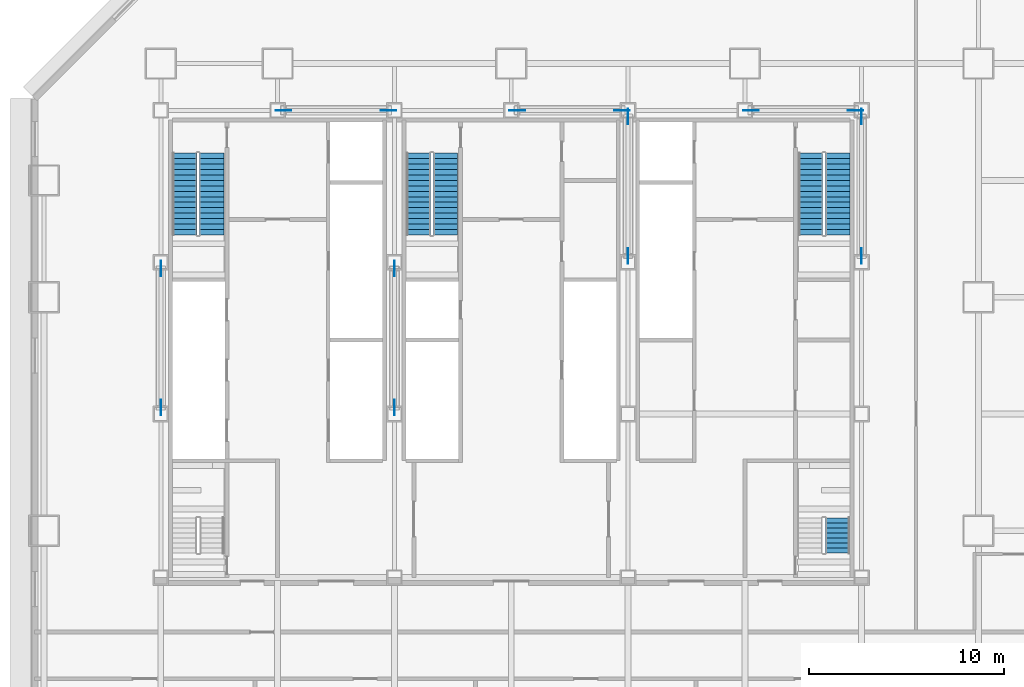
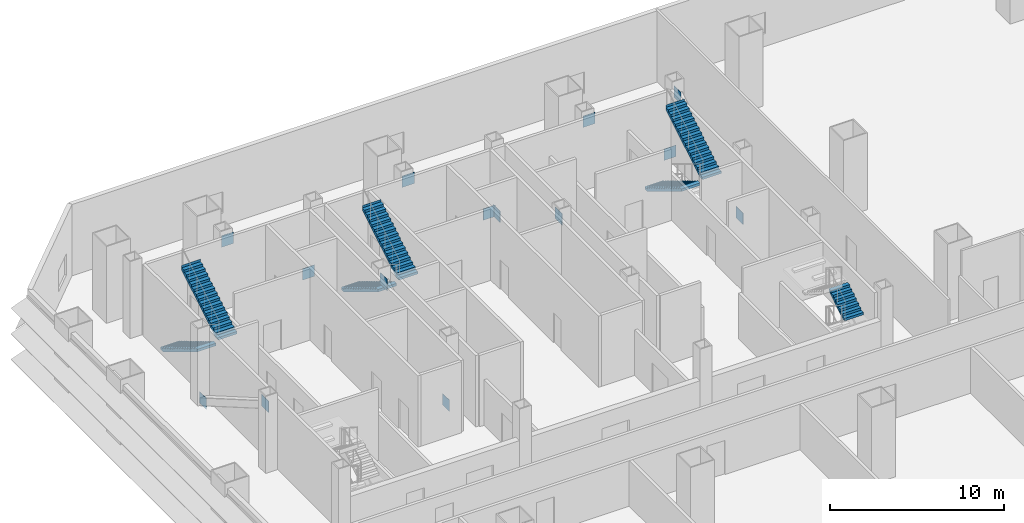
# One storey, part 8 of 10: 14 discrete accessories, 7 stair flights, 4 elements without a shape of their own.
"""IFC4 building model written with IfcOpenShell, lengths in metres."""

from ifc_helpers import new_model, si_unit, direction, frame, origin, origin_2d, place, context, subcontext, project, spatial, polyline, rectangle, outline, extrude, material, layer, layer_set, type_object, element, aggregate, save


model = new_model("IFC4")

# Units and contexts
model_context = context("Model", 3, precision=1e-05, world=origin(), true_north=direction((0.0, 1.0)))
body_context = subcontext(model_context, "Body", "Model", "MODEL_VIEW")
ifc_project = project(units=[si_unit("LENGTHUNIT", "METRE"), si_unit("AREAUNIT", "SQUARE_METRE"), si_unit("VOLUMEUNIT", "CUBIC_METRE"), si_unit("PLANEANGLEUNIT", "RADIAN"), si_unit("MASSUNIT", "GRAM", prefix="KILO")], contexts=[model_context])

# Site, building, storey
site_placement = place(None, origin())
site = spatial("IfcSite", under=ifc_project, at=site_placement, CompositionType="ELEMENT")
building_placement = place(site_placement, origin())
building = spatial("IfcBuilding", under=site, at=building_placement, Name="Sorahane Residences", CompositionType="ELEMENT")
storey_placement = place(building_placement, frame((0.0, 0.0, 15.0)))
storey = spatial("IfcBuildingStorey", under=building, at=storey_placement, Name="L01", CompositionType="ELEMENT", Elevation=15.0)

# Stair, stair flights
ifc_material_1 = material(Name="Concrete C40", Category="concrete")
stair_type = type_object("IfcStairType", Name="Dog-leg stair 1250 Concrete C40", PredefinedType="HALF_TURN_STAIR", material=ifc_material_1)
stair_1_placement = place(storey_placement, origin())
stair_1 = element("IfcStair", 1, at=stair_1_placement, inside=storey, type_object=stair_type, Name="L01 Stair S1", PredefinedType="HALF_TURN_STAIR")
ifc_material_2 = material(Name="Concrete C40", Category="concrete")
stair_flight_type = type_object("IfcStairFlightType", Name="Stair flight 1250 Concrete C40", PredefinedType="STRAIGHT", material=ifc_material_2)
stair_flight_1_placement = place(storey_placement, frame((7.22509765625, 43.39990234375, 0.0), z_axis=(0.0, 0.0, 1.0), x_axis=(0.0, -1.0, 0.0)))
stair_flight_1 = element("IfcStairFlight", 2, at=stair_flight_1_placement, type_object=stair_flight_type, Name="S1 flight 1", NumberOfRisers=16, NumberOfTreads=15, PredefinedType="STRAIGHT", RiserHeight=0.16875, TreadLength=0.28, context=body_context, shape_type="SweptSolid", body=[
    extrude(outline(polyline([(-0.00146484375, 0.0), (-0.00146484375, 0.168701171875), (0.0, 0.168701171875), (0.280029296875, 0.168701171875), (0.280029296875, 0.33740234375), (0.56005859375, 0.33740234375), (0.56005859375, 0.50634765625), (0.840087890625, 0.50634765625), (0.840087890625, 0.675048828125), (1.1201171875, 0.675048828125), (1.1201171875, 0.84375), (1.39990234375, 0.84375), (1.39990234375, 1.012451171875), (1.679931640625, 1.012451171875), (1.679931640625, 1.18115234375), (1.9599609375, 1.18115234375), (1.9599609375, 1.35009765625), (2.239990234375, 1.35009765625), (2.239990234375, 1.518798828125), (2.52001953125, 1.518798828125), (2.52001953125, 1.6875), (2.800048828125, 1.6875), (2.800048828125, 1.856201171875), (3.080078125, 1.856201171875), (3.080078125, 2.02490234375), (3.360107421875, 2.02490234375), (3.360107421875, 2.19384765625), (3.639892578125, 2.19384765625), (3.639892578125, 2.362548828125), (3.919921875, 2.362548828125), (3.919921875, 2.53125), (4.199951171875, 2.53125), (4.199951171875, 2.699951171875), (4.199951171875, 2.356201171875), (3.969970703125, 2.217529296875), (3.739990234375, 2.0791015625), (3.510009765625, 1.9404296875), (3.280029296875, 1.8017578125), (3.050048828125, 1.663330078125), (2.820068359375, 1.524658203125), (2.590087890625, 1.385986328125), (2.360107421875, 1.247314453125), (2.130126953125, 1.10888671875), (1.900146484375, 0.97021484375), (1.670166015625, 0.83154296875), (1.440185546875, 0.693115234375), (1.210205078125, 0.554443359375), (0.980224609375, 0.415771484375), (0.750244140625, 0.277099609375), (0.520263671875, 0.138671875), (0.29052734375, 0.0), (-0.00146484375, 0.0)])), frame((0.0, 0.625, 0.0), z_axis=(0.0, -1.0, 0.0), x_axis=(1.0, 0.0, 0.0)), (0.0, 0.0, 1.0), 1.25),
])
stair_flight_2_placement = place(storey_placement, frame((8.625, 39.199951171875, 2.699951171875), z_axis=(0.0, 0.0, 1.0), x_axis=(0.0, 1.0, 0.0)))
stair_flight_2 = element("IfcStairFlight", 3, at=stair_flight_2_placement, type_object=stair_flight_type, Name="S1 flight 2", NumberOfRisers=16, NumberOfTreads=15, PredefinedType="STRAIGHT", RiserHeight=0.16875, TreadLength=0.28, context=body_context, shape_type="SweptSolid", body=[
    extrude(outline(polyline([(0.0, 0.0), (0.0, 0.168701171875), (0.280029296875, 0.168701171875), (0.280029296875, 0.33740234375), (0.56005859375, 0.33740234375), (0.56005859375, 0.50634765625), (0.840087890625, 0.50634765625), (0.840087890625, 0.675048828125), (1.1201171875, 0.675048828125), (1.1201171875, 0.84375), (1.39990234375, 0.84375), (1.39990234375, 1.012451171875), (1.679931640625, 1.012451171875), (1.679931640625, 1.18115234375), (1.9599609375, 1.18115234375), (1.9599609375, 1.35009765625), (2.239990234375, 1.35009765625), (2.239990234375, 1.518798828125), (2.52001953125, 1.518798828125), (2.52001953125, 1.6875), (2.800048828125, 1.6875), (2.800048828125, 1.856201171875), (3.080078125, 1.856201171875), (3.080078125, 2.02490234375), (3.360107421875, 2.02490234375), (3.360107421875, 2.19384765625), (3.639892578125, 2.19384765625), (3.639892578125, 2.362548828125), (3.919921875, 2.362548828125), (3.919921875, 2.53125), (4.199951171875, 2.53125), (4.199951171875, 2.699951171875), (4.201416015625, 2.699951171875), (4.201416015625, 2.356201171875), (3.971435546875, 2.217529296875), (3.741455078125, 2.0791015625), (3.51123046875, 1.9404296875), (3.28125, 1.8017578125), (3.05126953125, 1.663330078125), (2.821044921875, 1.524658203125), (2.591064453125, 1.385986328125), (2.361083984375, 1.247314453125), (2.130859375, 1.10888671875), (1.90087890625, 0.97021484375), (1.6708984375, 0.83154296875), (1.440673828125, 0.693115234375), (1.210693359375, 0.554443359375), (0.980712890625, 0.415771484375), (0.75048828125, 0.277099609375), (0.5205078125, 0.138671875), (0.29052734375, 0.0), (0.0, 0.0)])), frame((0.0, 0.625, 0.0), z_axis=(0.0, -1.0, 0.0), x_axis=(1.0, 0.0, 0.0)), (0.0, 0.0, 1.0), 1.25),
])
aggregate(stair_1, [stair_flight_1, stair_flight_2])

stair_2_placement = place(storey_placement, origin())
stair_2 = element("IfcStair", 4, at=stair_2_placement, inside=storey, type_object=stair_type, Name="L01 Stair S2", PredefinedType="HALF_TURN_STAIR")
stair_flight_3_placement = place(storey_placement, frame((39.375, 43.39990234375, 0.0), z_axis=(0.0, 0.0, 1.0), x_axis=(0.0, -1.0, 0.0)))
stair_flight_3 = element("IfcStairFlight", 5, at=stair_flight_3_placement, type_object=stair_flight_type, Name="S2 flight 1", NumberOfRisers=16, NumberOfTreads=15, PredefinedType="STRAIGHT", RiserHeight=0.16875, TreadLength=0.28, context=body_context, shape_type="SweptSolid", body=[
    extrude(outline(polyline([(-0.00146484375, 0.0), (-0.00146484375, 0.168701171875), (0.0, 0.168701171875), (0.280029296875, 0.168701171875), (0.280029296875, 0.33740234375), (0.56005859375, 0.33740234375), (0.56005859375, 0.50634765625), (0.840087890625, 0.50634765625), (0.840087890625, 0.675048828125), (1.1201171875, 0.675048828125), (1.1201171875, 0.84375), (1.39990234375, 0.84375), (1.39990234375, 1.012451171875), (1.679931640625, 1.012451171875), (1.679931640625, 1.18115234375), (1.9599609375, 1.18115234375), (1.9599609375, 1.35009765625), (2.239990234375, 1.35009765625), (2.239990234375, 1.518798828125), (2.52001953125, 1.518798828125), (2.52001953125, 1.6875), (2.800048828125, 1.6875), (2.800048828125, 1.856201171875), (3.080078125, 1.856201171875), (3.080078125, 2.02490234375), (3.360107421875, 2.02490234375), (3.360107421875, 2.19384765625), (3.639892578125, 2.19384765625), (3.639892578125, 2.362548828125), (3.919921875, 2.362548828125), (3.919921875, 2.53125), (4.199951171875, 2.53125), (4.199951171875, 2.699951171875), (4.199951171875, 2.356201171875), (3.969970703125, 2.217529296875), (3.739990234375, 2.0791015625), (3.510009765625, 1.9404296875), (3.280029296875, 1.8017578125), (3.050048828125, 1.663330078125), (2.820068359375, 1.524658203125), (2.590087890625, 1.385986328125), (2.360107421875, 1.247314453125), (2.130126953125, 1.10888671875), (1.900146484375, 0.97021484375), (1.670166015625, 0.83154296875), (1.440185546875, 0.693115234375), (1.210205078125, 0.554443359375), (0.980224609375, 0.415771484375), (0.750244140625, 0.277099609375), (0.520263671875, 0.138671875), (0.29052734375, 0.0), (-0.00146484375, 0.0)])), frame((0.0, 0.625, 0.0), z_axis=(0.0, -1.0, 0.0), x_axis=(1.0, 0.0, 0.0)), (0.0, 0.0, 1.0), 1.25),
])
stair_flight_4_placement = place(storey_placement, frame((40.77490234375, 39.199951171875, 2.699951171875), z_axis=(0.0, 0.0, 1.0), x_axis=(0.0, 1.0, 0.0)))
stair_flight_4 = element("IfcStairFlight", 6, at=stair_flight_4_placement, type_object=stair_flight_type, Name="S2 flight 2", NumberOfRisers=16, NumberOfTreads=15, PredefinedType="STRAIGHT", RiserHeight=0.16875, TreadLength=0.28, context=body_context, shape_type="SweptSolid", body=[
    extrude(outline(polyline([(0.0, 0.0), (0.0, 0.168701171875), (0.280029296875, 0.168701171875), (0.280029296875, 0.33740234375), (0.56005859375, 0.33740234375), (0.56005859375, 0.50634765625), (0.840087890625, 0.50634765625), (0.840087890625, 0.675048828125), (1.1201171875, 0.675048828125), (1.1201171875, 0.84375), (1.39990234375, 0.84375), (1.39990234375, 1.012451171875), (1.679931640625, 1.012451171875), (1.679931640625, 1.18115234375), (1.9599609375, 1.18115234375), (1.9599609375, 1.35009765625), (2.239990234375, 1.35009765625), (2.239990234375, 1.518798828125), (2.52001953125, 1.518798828125), (2.52001953125, 1.6875), (2.800048828125, 1.6875), (2.800048828125, 1.856201171875), (3.080078125, 1.856201171875), (3.080078125, 2.02490234375), (3.360107421875, 2.02490234375), (3.360107421875, 2.19384765625), (3.639892578125, 2.19384765625), (3.639892578125, 2.362548828125), (3.919921875, 2.362548828125), (3.919921875, 2.53125), (4.199951171875, 2.53125), (4.199951171875, 2.699951171875), (4.201416015625, 2.699951171875), (4.201416015625, 2.356201171875), (3.971435546875, 2.217529296875), (3.741455078125, 2.0791015625), (3.51123046875, 1.9404296875), (3.28125, 1.8017578125), (3.05126953125, 1.663330078125), (2.821044921875, 1.524658203125), (2.591064453125, 1.385986328125), (2.361083984375, 1.247314453125), (2.130859375, 1.10888671875), (1.90087890625, 0.97021484375), (1.6708984375, 0.83154296875), (1.440673828125, 0.693115234375), (1.210693359375, 0.554443359375), (0.980712890625, 0.415771484375), (0.75048828125, 0.277099609375), (0.5205078125, 0.138671875), (0.29052734375, 0.0), (0.0, 0.0)])), frame((0.0, 0.625, 0.0), z_axis=(0.0, -1.0, 0.0), x_axis=(1.0, 0.0, 0.0)), (0.0, 0.0, 1.0), 1.25),
])
aggregate(stair_2, [stair_flight_3, stair_flight_4])

stair_3_placement = place(storey_placement, origin())
stair_3 = element("IfcStair", 7, at=stair_3_placement, inside=storey, type_object=stair_type, Name="L01 Stair S3", PredefinedType="HALF_TURN_STAIR")
stair_flight_5_placement = place(storey_placement, frame((19.22509765625, 43.39990234375, 0.0), z_axis=(0.0, 0.0, 1.0), x_axis=(0.0, -1.0, 0.0)))
stair_flight_5 = element("IfcStairFlight", 8, at=stair_flight_5_placement, type_object=stair_flight_type, Name="S3 flight 1", NumberOfRisers=16, NumberOfTreads=15, PredefinedType="STRAIGHT", RiserHeight=0.16875, TreadLength=0.28, context=body_context, shape_type="SweptSolid", body=[
    extrude(outline(polyline([(-0.00146484375, 0.0), (-0.00146484375, 0.168701171875), (0.0, 0.168701171875), (0.280029296875, 0.168701171875), (0.280029296875, 0.33740234375), (0.56005859375, 0.33740234375), (0.56005859375, 0.50634765625), (0.840087890625, 0.50634765625), (0.840087890625, 0.675048828125), (1.1201171875, 0.675048828125), (1.1201171875, 0.84375), (1.39990234375, 0.84375), (1.39990234375, 1.012451171875), (1.679931640625, 1.012451171875), (1.679931640625, 1.18115234375), (1.9599609375, 1.18115234375), (1.9599609375, 1.35009765625), (2.239990234375, 1.35009765625), (2.239990234375, 1.518798828125), (2.52001953125, 1.518798828125), (2.52001953125, 1.6875), (2.800048828125, 1.6875), (2.800048828125, 1.856201171875), (3.080078125, 1.856201171875), (3.080078125, 2.02490234375), (3.360107421875, 2.02490234375), (3.360107421875, 2.19384765625), (3.639892578125, 2.19384765625), (3.639892578125, 2.362548828125), (3.919921875, 2.362548828125), (3.919921875, 2.53125), (4.199951171875, 2.53125), (4.199951171875, 2.699951171875), (4.199951171875, 2.356201171875), (3.969970703125, 2.217529296875), (3.739990234375, 2.0791015625), (3.510009765625, 1.9404296875), (3.280029296875, 1.8017578125), (3.050048828125, 1.663330078125), (2.820068359375, 1.524658203125), (2.590087890625, 1.385986328125), (2.360107421875, 1.247314453125), (2.130126953125, 1.10888671875), (1.900146484375, 0.97021484375), (1.670166015625, 0.83154296875), (1.440185546875, 0.693115234375), (1.210205078125, 0.554443359375), (0.980224609375, 0.415771484375), (0.750244140625, 0.277099609375), (0.520263671875, 0.138671875), (0.29052734375, 0.0), (-0.00146484375, 0.0)])), frame((0.0, 0.625, 0.0), z_axis=(0.0, -1.0, 0.0), x_axis=(1.0, 0.0, 0.0)), (0.0, 0.0, 1.0), 1.25),
])
stair_flight_6_placement = place(storey_placement, frame((20.625, 39.199951171875, 2.699951171875), z_axis=(0.0, 0.0, 1.0), x_axis=(0.0, 1.0, 0.0)))
stair_flight_6 = element("IfcStairFlight", 9, at=stair_flight_6_placement, type_object=stair_flight_type, Name="S3 flight 2", NumberOfRisers=16, NumberOfTreads=15, PredefinedType="STRAIGHT", RiserHeight=0.16875, TreadLength=0.28, context=body_context, shape_type="SweptSolid", body=[
    extrude(outline(polyline([(0.0, 0.0), (0.0, 0.168701171875), (0.280029296875, 0.168701171875), (0.280029296875, 0.33740234375), (0.56005859375, 0.33740234375), (0.56005859375, 0.50634765625), (0.840087890625, 0.50634765625), (0.840087890625, 0.675048828125), (1.1201171875, 0.675048828125), (1.1201171875, 0.84375), (1.39990234375, 0.84375), (1.39990234375, 1.012451171875), (1.679931640625, 1.012451171875), (1.679931640625, 1.18115234375), (1.9599609375, 1.18115234375), (1.9599609375, 1.35009765625), (2.239990234375, 1.35009765625), (2.239990234375, 1.518798828125), (2.52001953125, 1.518798828125), (2.52001953125, 1.6875), (2.800048828125, 1.6875), (2.800048828125, 1.856201171875), (3.080078125, 1.856201171875), (3.080078125, 2.02490234375), (3.360107421875, 2.02490234375), (3.360107421875, 2.19384765625), (3.639892578125, 2.19384765625), (3.639892578125, 2.362548828125), (3.919921875, 2.362548828125), (3.919921875, 2.53125), (4.199951171875, 2.53125), (4.199951171875, 2.699951171875), (4.201416015625, 2.699951171875), (4.201416015625, 2.356201171875), (3.971435546875, 2.217529296875), (3.741455078125, 2.0791015625), (3.51123046875, 1.9404296875), (3.28125, 1.8017578125), (3.05126953125, 1.663330078125), (2.821044921875, 1.524658203125), (2.591064453125, 1.385986328125), (2.361083984375, 1.247314453125), (2.130859375, 1.10888671875), (1.90087890625, 0.97021484375), (1.6708984375, 0.83154296875), (1.440673828125, 0.693115234375), (1.210693359375, 0.554443359375), (0.980712890625, 0.415771484375), (0.75048828125, 0.277099609375), (0.5205078125, 0.138671875), (0.29052734375, 0.0), (0.0, 0.0)])), frame((0.0, 0.625, 0.0), z_axis=(0.0, -1.0, 0.0), x_axis=(1.0, 0.0, 0.0)), (0.0, 0.0, 1.0), 1.25),
])
aggregate(stair_3, [stair_flight_5, stair_flight_6])

# Stair, stair flight
stair_4_placement = place(storey_placement, origin())
stair_4 = element("IfcStair", 10, at=stair_4_placement, inside=storey, type_object=stair_type, Name="L01 Stair S5", PredefinedType="HALF_TURN_STAIR")
stair_flight_7_placement = place(storey_placement, frame((40.77490234375, 22.85009765625, 2.699951171875), z_axis=(0.0, 0.0, 1.0), x_axis=(0.0, 1.0, 0.0)))
stair_flight_7 = element("IfcStairFlight", 11, at=stair_flight_7_placement, type_object=stair_flight_type, Name="S5 flight 3", NumberOfRisers=8, NumberOfTreads=7, PredefinedType="STRAIGHT", RiserHeight=0.16875, TreadLength=0.26, context=body_context, shape_type="SweptSolid", body=[
    extrude(outline(polyline([(0.0, 0.0), (0.0, 0.002197265625), (0.0, 0.004150390625), (0.0, 0.00634765625), (0.0, 0.00830078125), (0.0, 0.010498046875), (0.0, 0.012451171875), (0.0, 0.0146484375), (0.0, 0.0166015625), (0.0, 0.018798828125), (0.0, 0.020751953125), (0.0, 0.02294921875), (0.0, 0.02490234375), (0.0, 0.027099609375), (0.0, 0.029052734375), (0.0, 0.03125), (0.0, 0.033447265625), (0.0, 0.035400390625), (0.0, 0.03759765625), (0.0, 0.03955078125), (0.0, 0.041748046875), (0.0, 0.043701171875), (0.0, 0.0458984375), (0.0, 0.0478515625), (0.0, 0.050048828125), (0.0, 0.052001953125), (0.0, 0.05419921875), (0.0, 0.05615234375), (0.0, 0.058349609375), (0.0, 0.060302734375), (0.0, 0.0625), (0.0, 0.064697265625), (0.0, 0.066650390625), (0.0, 0.06884765625), (0.0, 0.07080078125), (0.0, 0.072998046875), (0.0, 0.074951171875), (0.0, 0.0771484375), (0.0, 0.0791015625), (0.0, 0.081298828125), (0.0, 0.083251953125), (0.0, 0.08544921875), (0.0, 0.08740234375), (0.0, 0.089599609375), (0.0, 0.091552734375), (0.0, 0.09375), (0.0, 0.095947265625), (0.0, 0.097900390625), (0.0, 0.10009765625), (0.0, 0.10205078125), (0.0, 0.104248046875), (0.0, 0.106201171875), (0.0, 0.1083984375), (0.0, 0.1103515625), (0.0, 0.112548828125), (0.0, 0.114501953125), (0.0, 0.11669921875), (0.0, 0.11865234375), (0.0, 0.120849609375), (0.0, 0.122802734375), (0.0, 0.125), (0.0, 0.127197265625), (0.0, 0.129150390625), (0.0, 0.13134765625), (0.0, 0.13330078125), (0.0, 0.135498046875), (0.0, 0.137451171875), (0.0, 0.1396484375), (0.0, 0.1416015625), (0.0, 0.143798828125), (0.0, 0.145751953125), (0.0, 0.14794921875), (0.0, 0.14990234375), (0.0, 0.152099609375), (0.0, 0.154052734375), (0.0, 0.15625), (0.0, 0.158447265625), (0.0, 0.160400390625), (0.0, 0.16259765625), (0.0, 0.16455078125), (0.0, 0.166748046875), (0.0, 0.168701171875), (0.260009765625, 0.168701171875), (0.260009765625, 0.33740234375), (0.52001953125, 0.33740234375), (0.52001953125, 0.50634765625), (0.780029296875, 0.50634765625), (0.780029296875, 0.675048828125), (1.0400390625, 0.675048828125), (1.0400390625, 0.84375), (1.300048828125, 0.84375), (1.300048828125, 1.012451171875), (1.56005859375, 1.012451171875), (1.56005859375, 1.18115234375), (1.820068359375, 1.18115234375), (1.820068359375, 1.35009765625), (1.820068359375, 1.34619140625), (1.820068359375, 1.34228515625), (1.820068359375, 1.33837890625), (1.820068359375, 1.334716796875), (1.820068359375, 1.330810546875), (1.820068359375, 1.326904296875), (1.820068359375, 1.322998046875), (1.820068359375, 1.319091796875), (1.820068359375, 1.3154296875), (1.820068359375, 1.3115234375), (1.820068359375, 1.3076171875), (1.820068359375, 1.3037109375), (1.820068359375, 1.300048828125), (1.820068359375, 1.296142578125), (1.820068359375, 1.292236328125), (1.820068359375, 1.288330078125), (1.820068359375, 1.284423828125), (1.820068359375, 1.28076171875), (1.820068359375, 1.27685546875), (1.820068359375, 1.27294921875), (1.820068359375, 1.26904296875), (1.820068359375, 1.265380859375), (1.820068359375, 1.261474609375), (1.820068359375, 1.257568359375), (1.820068359375, 1.253662109375), (1.820068359375, 1.249755859375), (1.820068359375, 1.24609375), (1.820068359375, 1.2421875), (1.820068359375, 1.23828125), (1.820068359375, 1.234375), (1.820068359375, 1.230712890625), (1.820068359375, 1.226806640625), (1.820068359375, 1.222900390625), (1.820068359375, 1.218994140625), (1.820068359375, 1.215087890625), (1.820068359375, 1.21142578125), (1.820068359375, 1.20751953125), (1.820068359375, 1.20361328125), (1.820068359375, 1.19970703125), (1.820068359375, 1.196044921875), (1.820068359375, 1.192138671875), (1.820068359375, 1.188232421875), (1.820068359375, 1.184326171875), (1.820068359375, 1.1806640625), (1.820068359375, 1.1767578125), (1.820068359375, 1.1728515625), (1.820068359375, 1.1689453125), (1.820068359375, 1.1650390625), (1.820068359375, 1.161376953125), (1.820068359375, 1.157470703125), (1.820068359375, 1.153564453125), (1.820068359375, 1.149658203125), (1.820068359375, 1.14599609375), (1.820068359375, 1.14208984375), (1.820068359375, 1.13818359375), (1.820068359375, 1.13427734375), (1.820068359375, 1.13037109375), (1.820068359375, 1.126708984375), (1.820068359375, 1.122802734375), (1.820068359375, 1.118896484375), (1.820068359375, 1.114990234375), (1.820068359375, 1.111328125), (1.820068359375, 1.107421875), (1.820068359375, 1.103515625), (1.820068359375, 1.099609375), (1.820068359375, 1.095703125), (1.820068359375, 1.092041015625), (1.820068359375, 1.088134765625), (1.820068359375, 1.084228515625), (1.820068359375, 1.080322265625), (1.820068359375, 1.07666015625), (1.820068359375, 1.07275390625), (1.820068359375, 1.06884765625), (1.820068359375, 1.06494140625), (1.820068359375, 1.061279296875), (1.820068359375, 1.057373046875), (1.820068359375, 1.053466796875), (1.820068359375, 1.049560546875), (1.820068359375, 1.045654296875), (1.820068359375, 1.0419921875), (1.820068359375, 1.0380859375), (1.6201171875, 0.908203125), (1.420166015625, 0.778564453125), (1.22021484375, 0.648681640625), (1.020263671875, 0.51904296875), (0.8203125, 0.38916015625), (0.620361328125, 0.259521484375), (0.420654296875, 0.129638671875), (0.220703125, 0.0), (0.0, 0.0)])), frame((0.0, 0.625, 0.0), z_axis=(0.0, -1.0, 0.0), x_axis=(1.0, 0.0, 0.0)), (0.0, 0.0, 1.0), 1.25),
])
aggregate(stair_4, [stair_flight_7])

# Discrete accessories
ifc_material_3 = material(Name="Steel Q355B", Category="steel")
ifc_layer = layer(ifc_material_3, 0.02490234375)
ifc_layer_set = layer_set([ifc_layer], Name="Node plate Steel Q355B 25")
discrete_accessory_type = type_object("IfcDiscreteAccessoryType", Name="Node plate Steel Q355B 25", PredefinedType="BRACKET", material=ifc_layer_set)
for number, where, z_axis, x_axis, name in (
    (12, (6.0, 37.47509765625, -0.193359375), (0.0, 0.0, 1.0), (0.0, 1.0, 0.0), "Node plate L01 br"),
    (13, (6.0, 30.324951171875, 3.943359375), (0.0, 0.0, 1.0), (0.0, 1.0, 0.0), "Node plate L01 br"),
    (14, (18.0, 30.324951171875, -0.193359375), (0.0, 0.0, 1.0), (0.0, 1.0, 0.0), "Node plate L01 br"),
    (15, (18.0, 37.47509765625, 3.943359375), (0.0, 0.0, 1.0), (0.0, 1.0, 0.0), "Node plate L01 br"),
    (16, (30.0, 45.275146484375, -0.193359375), (0.0, 0.0, 1.0), (0.0, 1.0, 0.0), "Node plate L01 br"),
    (17, (30.0, 38.125, 3.943359375), (0.0, 0.0, 1.0), (0.0, 1.0, 0.0), "Node plate L01 br"),
    (18, (42.0, 38.125, -0.193359375), (0.0, 0.0, 1.0), (0.0, 1.0, 0.0), "Node plate L01 br"),
    (19, (42.0, 45.275146484375, 3.943359375), (0.0, 0.0, 1.0), (0.0, 1.0, 0.0), "Node plate L01 br"),
    (20, (17.692138671875, 45.60009765625, -0.2216796875), (0.0, 0.0, 1.0), (1.0, 0.0, 0.0), "Node plate L01 br"),
    (21, (29.692138671875, 45.60009765625, -0.2216796875), (0.0, 0.0, 1.0), (1.0, 0.0, 0.0), "Node plate L01 br"),
    (22, (41.692138671875, 45.60009765625, -0.2216796875), (0.0, 0.0, 1.0), (1.0, 0.0, 0.0), "Node plate L01 br"),
    (23, (12.307861328125, 45.60009765625, 3.9716796875), (0.0, 0.0, 1.0), (1.0, 0.0, 0.0), "Node plate L01 br"),
    (24, (24.307861328125, 45.60009765625, 3.9716796875), (0.0, 0.0, 1.0), (1.0, 0.0, 0.0), "Node plate L01 br"),
    (25, (36.307861328125, 45.60009765625, 3.9716796875), (0.0, 0.0, 1.0), (1.0, 0.0, 0.0), "Node plate L01 br"),
):
    element("IfcDiscreteAccessory", number, at=place(storey_placement, frame(where, z_axis=z_axis, x_axis=x_axis)), inside=storey, type_object=discrete_accessory_type, Name=name, PredefinedType="BRACKET", context=body_context, shape_type="SweptSolid", body=[
        extrude(rectangle(XDim=0.800048828125, YDim=0.02490234375, at=origin_2d()), origin(), (0.0, 0.0, 1.0), 0.800048828125),
    ])

save(model, "model.ifc")
